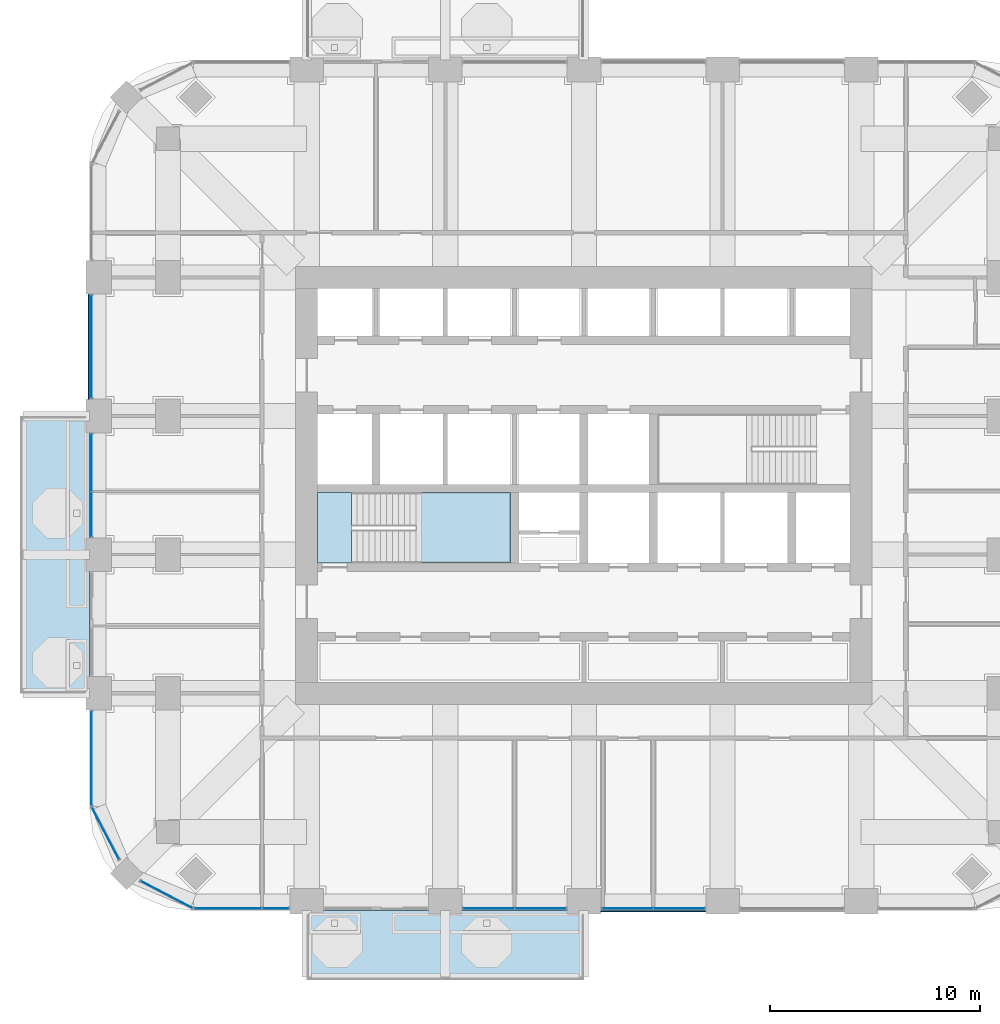
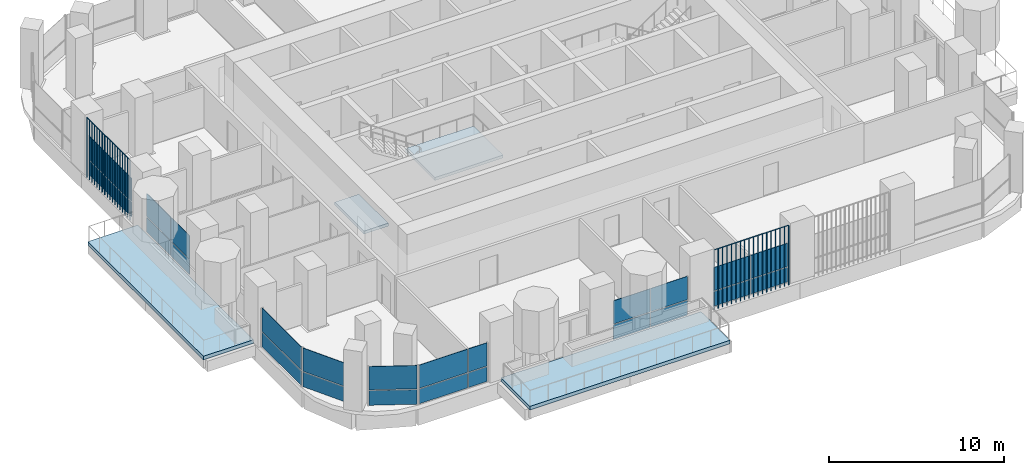
# One storey, part 8 of 20: 26 plates, 4 slabs, 9 elements without a shape of their own.
"""IFC4 building model written with IfcOpenShell, lengths in metres."""

from ifc_helpers import new_model, si_unit, direction, frame, origin, origin_2d, place, context, subcontext, project, spatial, polyline, rectangle, outline, extrude, material, layer, layer_set, type_object, element, aggregate, save


model = new_model("IFC4")

# Units and contexts
model_context = context("Model", 3, precision=1e-05, world=origin(), true_north=direction((0.0, 1.0)))
body_context = subcontext(model_context, "Body", "Model", "MODEL_VIEW")
ifc_project = project(units=[si_unit("LENGTHUNIT", "METRE"), si_unit("AREAUNIT", "SQUARE_METRE"), si_unit("VOLUMEUNIT", "CUBIC_METRE"), si_unit("PLANEANGLEUNIT", "RADIAN"), si_unit("MASSUNIT", "GRAM", prefix="KILO")], contexts=[model_context])

# Site, building, storey
site_placement = place(None, origin())
site = spatial("IfcSite", under=ifc_project, at=site_placement, CompositionType="ELEMENT")
building_placement = place(site_placement, origin())
building = spatial("IfcBuilding", under=site, at=building_placement, Name="Cobogo Forest Laboratory Tower", CompositionType="ELEMENT")
storey_placement = place(building_placement, frame((0.0, 0.0, 193.5)))
storey = spatial("IfcBuildingStorey", under=building, at=storey_placement, Name="L44", CompositionType="ELEMENT", Elevation=193.5)

# Slabs
ifc_material_1 = material(Name="Concrete HA-40 (C40/50)", Category="concrete")
ifc_layer_1 = layer(ifc_material_1, 0.25)
ifc_layer_set_1 = layer_set([ifc_layer_1], Name="Balcony slab 250")
slab_type_1 = type_object("IfcSlabType", Name="Balcony slab 250", PredefinedType="FLOOR", material=ifc_layer_set_1)
slab_1_placement = place(storey_placement, frame((0.0, 0.0, -0.25)))
element("IfcSlab", 1, at=slab_1_placement, inside=storey, type_object=slab_type_1, Name="Balcony BAL-S1 L44", PredefinedType="FLOOR", context=body_context, shape_type="SweptSolid", body=[
    extrude(outline(polyline([(13.199951171875, -0.449951171875), (26.39990234375, -0.449951171875), (26.39990234375, 2.85009765625), (13.199951171875, 2.85009765625), (13.199951171875, -0.449951171875)])), origin(), (0.0, 0.0, 1.0), 0.25),
])
slab_2_placement = place(storey_placement, frame((0.0, 0.0, -0.25)))
element("IfcSlab", 2, at=slab_2_placement, inside=storey, type_object=slab_type_1, Name="Balcony BAL-W1 L44", PredefinedType="FLOOR", context=body_context, shape_type="SweptSolid", body=[
    extrude(outline(polyline([(-0.449951171875, 13.199951171875), (2.85009765625, 13.199951171875), (2.85009765625, 26.39990234375), (-0.449951171875, 26.39990234375), (-0.449951171875, 13.199951171875)])), origin(), (0.0, 0.0, 1.0), 0.25),
])

# Curtain wall, plates
ifc_material_2 = material(Name="Aluminium curtain wall", Category="aluminium")
curtain_wall_type = type_object("IfcCurtainWallType", Name="CW-2 unitised curtain wall, solar control glazing, laboratory floors zones C and D", PredefinedType="USERDEFINED", material=ifc_material_2)
curtain_wall_1_placement = place(storey_placement, origin())
curtain_wall_1 = element("IfcCurtainWall", 3, at=curtain_wall_1_placement, inside=storey, type_object=curtain_wall_type, Name="Curtain wall 01 L44", ObjectType="UNITISED CURTAIN WALL", PredefinedType="USERDEFINED")
ifc_material_3 = material(Name="Solar control insulated glass", Category="glass")
ifc_layer_2 = layer(ifc_material_3, 0.031982421875)
ifc_layer_set_2 = layer_set([ifc_layer_2], Name="GP-2 solar control glass unit 32")
plate_type_1 = type_object("IfcPlateType", Name="GP-2 solar control glass unit 32", PredefinedType="CURTAIN_PANEL", material=ifc_layer_set_2)
plate_1_placement = place(storey_placement, frame((9.452392578125, 2.949951171875, 0.0), z_axis=(0.0, 0.0, 1.0), x_axis=(1.0, 0.0, 0.0)))
plate_1 = element("IfcPlate", 4, at=plate_1_placement, type_object=plate_type_1, Name="CW-2 panel 1.1", PredefinedType="CURTAIN_PANEL", context=body_context, shape_type="SweptSolid", body=[
    extrude(rectangle(XDim=3.18505859375, YDim=0.031982421875, at=origin_2d()), origin(), (0.0, 0.0, 1.0), 1.02001953125),
])
plate_2_placement = place(storey_placement, frame((9.452392578125, 2.949951171875, 1.079833984375), z_axis=(0.0, 0.0, 1.0), x_axis=(1.0, 0.0, 0.0)))
plate_2 = element("IfcPlate", 5, at=plate_2_placement, type_object=plate_type_1, Name="CW-2 panel 1.2", PredefinedType="CURTAIN_PANEL", context=body_context, shape_type="SweptSolid", body=[
    extrude(rectangle(XDim=3.18505859375, YDim=0.031982421875, at=origin_2d()), origin(), (0.0, 0.0, 1.0), 1.6201171875),
])
plate_3_placement = place(storey_placement, frame((11.722412109375, 2.949951171875, 0.0), z_axis=(0.0, 0.0, 1.0), x_axis=(1.0, 0.0, 0.0)))
plate_3 = element("IfcPlate", 6, at=plate_3_placement, type_object=plate_type_1, Name="CW-2 panel 2.1", PredefinedType="CURTAIN_PANEL", context=body_context, shape_type="SweptSolid", body=[
    extrude(rectangle(XDim=1.235107421875, YDim=0.031982421875, at=origin_2d()), origin(), (0.0, 0.0, 1.0), 1.02001953125),
])
plate_4_placement = place(storey_placement, frame((11.722412109375, 2.949951171875, 1.079833984375), z_axis=(0.0, 0.0, 1.0), x_axis=(1.0, 0.0, 0.0)))
plate_4 = element("IfcPlate", 7, at=plate_4_placement, type_object=plate_type_1, Name="CW-2 panel 2.2", PredefinedType="CURTAIN_PANEL", context=body_context, shape_type="SweptSolid", body=[
    extrude(rectangle(XDim=1.235107421875, YDim=0.031982421875, at=origin_2d()), origin(), (0.0, 0.0, 1.0), 1.6201171875),
])
aggregate(curtain_wall_1, [plate_1, plate_2, plate_3, plate_4])

curtain_wall_2_placement = place(storey_placement, origin())
curtain_wall_2 = element("IfcCurtainWall", 8, at=curtain_wall_2_placement, inside=storey, type_object=curtain_wall_type, Name="Curtain wall 03 L44", ObjectType="UNITISED CURTAIN WALL", PredefinedType="USERDEFINED")
plate_5_placement = place(storey_placement, frame((21.864990234375, 2.949951171875, 0.0), z_axis=(0.0, 0.0, 1.0), x_axis=(1.0, 0.0, 0.0)))
plate_5 = element("IfcPlate", 9, at=plate_5_placement, type_object=plate_type_1, Name="CW-2 panel 1.1", PredefinedType="CURTAIN_PANEL", context=body_context, shape_type="SweptSolid", body=[
    extrude(rectangle(XDim=2.409912109375, YDim=0.031982421875, at=origin_2d()), origin(), (0.0, 0.0, 1.0), 1.02001953125),
])
plate_6_placement = place(storey_placement, frame((21.864990234375, 2.949951171875, 1.079833984375), z_axis=(0.0, 0.0, 1.0), x_axis=(1.0, 0.0, 0.0)))
plate_6 = element("IfcPlate", 10, at=plate_6_placement, type_object=plate_type_1, Name="CW-2 panel 1.2", PredefinedType="CURTAIN_PANEL", context=body_context, shape_type="SweptSolid", body=[
    extrude(rectangle(XDim=2.409912109375, YDim=0.031982421875, at=origin_2d()), origin(), (0.0, 0.0, 1.0), 1.6201171875),
])
plate_7_placement = place(storey_placement, frame((24.3349609375, 2.949951171875, 0.0), z_axis=(0.0, 0.0, 1.0), x_axis=(1.0, 0.0, 0.0)))
plate_7 = element("IfcPlate", 11, at=plate_7_placement, type_object=plate_type_1, Name="CW-2 panel 2.1", PredefinedType="CURTAIN_PANEL", context=body_context, shape_type="SweptSolid", body=[
    extrude(rectangle(XDim=2.409912109375, YDim=0.031982421875, at=origin_2d()), origin(), (0.0, 0.0, 1.0), 1.02001953125),
])
plate_8_placement = place(storey_placement, frame((24.3349609375, 2.949951171875, 1.079833984375), z_axis=(0.0, 0.0, 1.0), x_axis=(1.0, 0.0, 0.0)))
plate_8 = element("IfcPlate", 12, at=plate_8_placement, type_object=plate_type_1, Name="CW-2 panel 2.2", PredefinedType="CURTAIN_PANEL", context=body_context, shape_type="SweptSolid", body=[
    extrude(rectangle(XDim=2.409912109375, YDim=0.031982421875, at=origin_2d()), origin(), (0.0, 0.0, 1.0), 1.6201171875),
])
aggregate(curtain_wall_2, [plate_5, plate_6, plate_7, plate_8])

curtain_wall_3_placement = place(storey_placement, origin())
curtain_wall_3 = element("IfcCurtainWall", 13, at=curtain_wall_3_placement, inside=storey, type_object=curtain_wall_type, Name="Curtain wall 04 L44", ObjectType="UNITISED CURTAIN WALL", PredefinedType="USERDEFINED")
plate_9_placement = place(storey_placement, frame((28.465087890625, 2.949951171875, 0.0), z_axis=(0.0, 0.0, 1.0), x_axis=(1.0, 0.0, 0.0)))
plate_9 = element("IfcPlate", 14, at=plate_9_placement, type_object=plate_type_1, Name="CW-2 panel 1.1", PredefinedType="CURTAIN_PANEL", context=body_context, shape_type="SweptSolid", body=[
    extrude(rectangle(XDim=2.409912109375, YDim=0.031982421875, at=origin_2d()), origin(), (0.0, 0.0, 1.0), 1.02001953125),
])
plate_10_placement = place(storey_placement, frame((28.465087890625, 2.949951171875, 1.079833984375), z_axis=(0.0, 0.0, 1.0), x_axis=(1.0, 0.0, 0.0)))
plate_10 = element("IfcPlate", 15, at=plate_10_placement, type_object=plate_type_1, Name="CW-2 panel 1.2", PredefinedType="CURTAIN_PANEL", context=body_context, shape_type="SweptSolid", body=[
    extrude(rectangle(XDim=2.409912109375, YDim=0.031982421875, at=origin_2d()), origin(), (0.0, 0.0, 1.0), 1.6201171875),
])
plate_11_placement = place(storey_placement, frame((30.93505859375, 2.949951171875, 0.0), z_axis=(0.0, 0.0, 1.0), x_axis=(1.0, 0.0, 0.0)))
plate_11 = element("IfcPlate", 16, at=plate_11_placement, type_object=plate_type_1, Name="CW-2 panel 2.1", PredefinedType="CURTAIN_PANEL", context=body_context, shape_type="SweptSolid", body=[
    extrude(rectangle(XDim=2.409912109375, YDim=0.031982421875, at=origin_2d()), origin(), (0.0, 0.0, 1.0), 1.02001953125),
])
plate_12_placement = place(storey_placement, frame((30.93505859375, 2.949951171875, 1.079833984375), z_axis=(0.0, 0.0, 1.0), x_axis=(1.0, 0.0, 0.0)))
plate_12 = element("IfcPlate", 17, at=plate_12_placement, type_object=plate_type_1, Name="CW-2 panel 2.2", PredefinedType="CURTAIN_PANEL", context=body_context, shape_type="SweptSolid", body=[
    extrude(rectangle(XDim=2.409912109375, YDim=0.031982421875, at=origin_2d()), origin(), (0.0, 0.0, 1.0), 1.6201171875),
])
aggregate(curtain_wall_3, [plate_9, plate_10, plate_11, plate_12])

curtain_wall_4_placement = place(storey_placement, origin())
curtain_wall_4 = element("IfcCurtainWall", 18, at=curtain_wall_4_placement, inside=storey, type_object=curtain_wall_type, Name="Curtain wall 25 L44", ObjectType="UNITISED CURTAIN WALL", PredefinedType="USERDEFINED")
plate_13_placement = place(storey_placement, frame((2.949951171875, 29.699951171875, 0.0), z_axis=(0.0, 0.0, 1.0), x_axis=(0.0, -1.0, 0.0)))
plate_13 = element("IfcPlate", 19, at=plate_13_placement, type_object=plate_type_1, Name="CW-2 panel 1.1", PredefinedType="CURTAIN_PANEL", context=body_context, shape_type="SweptSolid", body=[
    extrude(rectangle(XDim=4.8798828125, YDim=0.031982421875, at=origin_2d()), origin(), (0.0, 0.0, 1.0), 1.02001953125),
])
plate_14_placement = place(storey_placement, frame((2.949951171875, 29.699951171875, 1.079833984375), z_axis=(0.0, 0.0, 1.0), x_axis=(0.0, -1.0, 0.0)))
plate_14 = element("IfcPlate", 20, at=plate_14_placement, type_object=plate_type_1, Name="CW-2 panel 1.2", PredefinedType="CURTAIN_PANEL", context=body_context, shape_type="SweptSolid", body=[
    extrude(rectangle(XDim=4.8798828125, YDim=0.031982421875, at=origin_2d()), origin(), (0.0, 0.0, 1.0), 1.6201171875),
])
aggregate(curtain_wall_4, [plate_13, plate_14])

curtain_wall_5_placement = place(storey_placement, origin())
curtain_wall_5 = element("IfcCurtainWall", 21, at=curtain_wall_5_placement, inside=storey, type_object=curtain_wall_type, Name="Curtain wall 26 L44", ObjectType="UNITISED CURTAIN WALL", PredefinedType="USERDEFINED")
plate_15_placement = place(storey_placement, frame((2.949951171875, 24.18505859375, 0.0), z_axis=(0.0, 0.0, 1.0), x_axis=(0.0, -1.0, 0.0)))
plate_15 = element("IfcPlate", 22, at=plate_15_placement, type_object=plate_type_1, Name="CW-2 panel 1.1", PredefinedType="CURTAIN_PANEL", context=body_context, shape_type="SweptSolid", body=[
    extrude(rectangle(XDim=2.7099609375, YDim=0.031982421875, at=origin_2d()), origin(), (0.0, 0.0, 1.0), 1.02001953125),
])
plate_16_placement = place(storey_placement, frame((2.949951171875, 24.18505859375, 1.079833984375), z_axis=(0.0, 0.0, 1.0), x_axis=(0.0, -1.0, 0.0)))
plate_16 = element("IfcPlate", 23, at=plate_16_placement, type_object=plate_type_1, Name="CW-2 panel 1.2", PredefinedType="CURTAIN_PANEL", context=body_context, shape_type="SweptSolid", body=[
    extrude(rectangle(XDim=2.7099609375, YDim=0.031982421875, at=origin_2d()), origin(), (0.0, 0.0, 1.0), 1.6201171875),
])
plate_17_placement = place(storey_placement, frame((2.949951171875, 21.715087890625, 0.0), z_axis=(0.0, 0.0, 1.0), x_axis=(0.0, -1.0, 0.0)))
plate_17 = element("IfcPlate", 24, at=plate_17_placement, type_object=plate_type_1, Name="CW-2 panel 2.1", PredefinedType="CURTAIN_PANEL", context=body_context, shape_type="SweptSolid", body=[
    extrude(rectangle(XDim=2.110107421875, YDim=0.031982421875, at=origin_2d()), origin(), (0.0, 0.0, 1.0), 1.02001953125),
])
plate_18_placement = place(storey_placement, frame((2.949951171875, 21.715087890625, 1.079833984375), z_axis=(0.0, 0.0, 1.0), x_axis=(0.0, -1.0, 0.0)))
plate_18 = element("IfcPlate", 25, at=plate_18_placement, type_object=plate_type_1, Name="CW-2 panel 2.2", PredefinedType="CURTAIN_PANEL", context=body_context, shape_type="SweptSolid", body=[
    extrude(rectangle(XDim=2.110107421875, YDim=0.031982421875, at=origin_2d()), origin(), (0.0, 0.0, 1.0), 1.6201171875),
])
aggregate(curtain_wall_5, [plate_15, plate_16, plate_17, plate_18])

curtain_wall_6_placement = place(storey_placement, origin())
curtain_wall_6 = element("IfcCurtainWall", 26, at=curtain_wall_6_placement, inside=storey, type_object=curtain_wall_type, Name="Curtain wall 28 L44", ObjectType="UNITISED CURTAIN WALL", PredefinedType="USERDEFINED")
plate_19_placement = place(storey_placement, frame((2.949951171875, 10.10009765625, 0.0), z_axis=(0.0, 0.0, 1.0), x_axis=(0.0, -1.0, 0.0)))
plate_19 = element("IfcPlate", 27, at=plate_19_placement, type_object=plate_type_1, Name="CW-2 panel 1.1", PredefinedType="CURTAIN_PANEL", context=body_context, shape_type="SweptSolid", body=[
    extrude(rectangle(XDim=4.47998046875, YDim=0.031982421875, at=origin_2d()), origin(), (0.0, 0.0, 1.0), 1.02001953125),
])
plate_20_placement = place(storey_placement, frame((2.949951171875, 10.10009765625, 1.079833984375), z_axis=(0.0, 0.0, 1.0), x_axis=(0.0, -1.0, 0.0)))
plate_20 = element("IfcPlate", 28, at=plate_20_placement, type_object=plate_type_1, Name="CW-2 panel 1.2", PredefinedType="CURTAIN_PANEL", context=body_context, shape_type="SweptSolid", body=[
    extrude(rectangle(XDim=4.47998046875, YDim=0.031982421875, at=origin_2d()), origin(), (0.0, 0.0, 1.0), 1.6201171875),
])
aggregate(curtain_wall_6, [plate_19, plate_20])

curtain_wall_7_placement = place(storey_placement, origin())
curtain_wall_7 = element("IfcCurtainWall", 29, at=curtain_wall_7_placement, inside=storey, type_object=curtain_wall_type, Name="Curtain wall 29 L44", ObjectType="UNITISED CURTAIN WALL", PredefinedType="USERDEFINED")
plate_21_placement = place(storey_placement, frame((3.61865234375, 6.5244140625, 0.0), z_axis=(0.0, 0.0, 1.0), x_axis=(0.464283804832, -0.885686484356, 0.0)))
plate_21 = element("IfcPlate", 30, at=plate_21_placement, type_object=plate_type_1, Name="CW-2 panel 1.1", PredefinedType="CURTAIN_PANEL", context=body_context, shape_type="SweptSolid", body=[
    extrude(rectangle(XDim=2.76025390625, YDim=0.031982421875, at=origin_2d()), origin(), (0.0, 0.0, 1.0), 1.02001953125),
])
plate_22_placement = place(storey_placement, frame((3.61865234375, 6.5244140625, 1.079833984375), z_axis=(0.0, 0.0, 1.0), x_axis=(0.464283804832, -0.885686484356, 0.0)))
plate_22 = element("IfcPlate", 31, at=plate_22_placement, type_object=plate_type_1, Name="CW-2 panel 1.2", PredefinedType="CURTAIN_PANEL", context=body_context, shape_type="SweptSolid", body=[
    extrude(rectangle(XDim=2.76025390625, YDim=0.031982421875, at=origin_2d()), origin(), (0.0, 0.0, 1.0), 1.6201171875),
])
aggregate(curtain_wall_7, [plate_21, plate_22])

curtain_wall_8_placement = place(storey_placement, origin())
curtain_wall_8 = element("IfcCurtainWall", 32, at=curtain_wall_8_placement, inside=storey, type_object=curtain_wall_type, Name="Curtain wall 30 L44", ObjectType="UNITISED CURTAIN WALL", PredefinedType="USERDEFINED")
plate_23_placement = place(storey_placement, frame((6.5244140625, 3.61865234375, 0.0), z_axis=(0.0, 0.0, 1.0), x_axis=(0.885686484356, -0.464283804832, 0.0)))
plate_23 = element("IfcPlate", 33, at=plate_23_placement, type_object=plate_type_1, Name="CW-2 panel 1.1", PredefinedType="CURTAIN_PANEL", context=body_context, shape_type="SweptSolid", body=[
    extrude(rectangle(XDim=2.76025390625, YDim=0.031982421875, at=origin_2d()), origin(), (0.0, 0.0, 1.0), 1.02001953125),
])
plate_24_placement = place(storey_placement, frame((6.5244140625, 3.61865234375, 1.079833984375), z_axis=(0.0, 0.0, 1.0), x_axis=(0.885686484356, -0.464283804832, 0.0)))
plate_24 = element("IfcPlate", 34, at=plate_24_placement, type_object=plate_type_1, Name="CW-2 panel 1.2", PredefinedType="CURTAIN_PANEL", context=body_context, shape_type="SweptSolid", body=[
    extrude(rectangle(XDim=2.76025390625, YDim=0.031982421875, at=origin_2d()), origin(), (0.0, 0.0, 1.0), 1.6201171875),
])
aggregate(curtain_wall_8, [plate_23, plate_24])

# Stair, slabs
ifc_material_4 = material(Name="Precast concrete HA-40 (C40/50)", Category="concrete")
stair_type = type_object("IfcStairType", Name="ST24 exit stair 24 risers", PredefinedType="HALF_TURN_STAIR", material=ifc_material_4)
stair_placement = place(storey_placement, origin())
stair = element("IfcStair", 35, at=stair_placement, inside=storey, type_object=stair_type, Name="Stair 1 L44 to L45", PredefinedType="HALF_TURN_STAIR")
ifc_layer_3 = layer(ifc_material_1, 0.199951171875)
ifc_layer_set_3 = layer_set([ifc_layer_3], Name="SL stair landing 200")
slab_type_2 = type_object("IfcSlabType", Name="SL stair landing 200", PredefinedType="LANDING", material=ifc_layer_set_3)
slab_3_placement = place(storey_placement, frame((0.0, 0.0, -0.199951171875)))
slab_3 = element("IfcSlab", 36, at=slab_3_placement, type_object=slab_type_2, Name="ST1 landing 1", PredefinedType="LANDING", context=body_context, shape_type="SweptSolid", body=[
    extrude(outline(polyline([(13.72509765625, 19.39990234375), (15.326904296875, 19.39990234375), (15.326904296875, 22.75), (13.72509765625, 22.75), (13.72509765625, 19.39990234375)])), origin(), (0.0, 0.0, 1.0), 0.199951171875),
])
slab_4_placement = place(storey_placement, frame((0.0, 0.0, 1.89990234375)))
slab_4 = element("IfcSlab", 37, at=slab_4_placement, type_object=slab_type_2, Name="ST1 landing 2", PredefinedType="LANDING", context=body_context, shape_type="SweptSolid", body=[
    extrude(outline(polyline([(18.403076171875, 19.39990234375), (22.89990234375, 19.39990234375), (22.89990234375, 22.75), (18.403076171875, 22.75), (18.403076171875, 19.39990234375)])), origin(), (0.0, 0.0, 1.0), 0.2001953125),
])
aggregate(stair, [slab_3, slab_4])

# Plates
ifc_material_5 = material(Name="Terracotta", Category="masonry")
plate_type_2 = type_object("IfcPlateType", Name="TB1 terracotta baguette screen", PredefinedType="USERDEFINED", material=ifc_material_5)
plate_25_placement = place(storey_placement, frame((27.231201171875, 2.822021484375, -0.14990234375)))
element("IfcPlate", 38, at=plate_25_placement, inside=storey, type_object=plate_type_2, Name="Baguette screen S3 L44", ObjectType="BAGUETTE SCREEN", PredefinedType="USERDEFINED", context=body_context, shape_type="SweptSolid", body=[
    extrude(outline(polyline([(0.02880859375, 0.011962890625), (0.011962890625, 0.02880859375), (-0.011962890625, 0.02880859375), (-0.02880859375, 0.011962890625), (-0.02880859375, -0.011962890625), (-0.011962890625, -0.02880859375), (0.011962890625, -0.02880859375), (0.02880859375, -0.011962890625), (0.02880859375, 0.011962890625)])), frame((0.0, 0.0, 4.168701171875), z_axis=(1.0, 0.0, 0.0), x_axis=(0.0, 1.0, 0.0)), (0.0, 0.0, 1.0), 4.9375),
    extrude(outline(polyline([(0.02880859375, 0.011962890625), (0.011962890625, 0.02880859375), (-0.011962890625, 0.02880859375), (-0.02880859375, 0.011962890625), (-0.02880859375, -0.011962890625), (-0.011962890625, -0.02880859375), (0.011962890625, -0.02880859375), (0.02880859375, -0.011962890625), (0.02880859375, 0.011962890625)])), origin(), (0.0, 0.0, 1.0), 4.137451171875),
    extrude(outline(polyline([(0.02880859375, 0.011962890625), (0.011962890625, 0.02880859375), (-0.011962890625, 0.02880859375), (-0.02880859375, 0.011962890625), (-0.02880859375, -0.011962890625), (-0.011962890625, -0.02880859375), (0.011962890625, -0.02880859375), (0.02880859375, -0.011962890625), (0.02880859375, 0.011962890625)])), frame((0.29052734375, 0.0, 0.0)), (0.0, 0.0, 1.0), 4.137451171875),
    extrude(outline(polyline([(0.02880859375, 0.011962890625), (0.011962890625, 0.02880859375), (-0.011962890625, 0.02880859375), (-0.02880859375, 0.011962890625), (-0.02880859375, -0.011962890625), (-0.011962890625, -0.02880859375), (0.011962890625, -0.02880859375), (0.02880859375, -0.011962890625), (0.02880859375, 0.011962890625)])), frame((0.580810546875, 0.0, 0.0)), (0.0, 0.0, 1.0), 4.137451171875),
    extrude(outline(polyline([(0.02880859375, 0.011962890625), (0.011962890625, 0.02880859375), (-0.011962890625, 0.02880859375), (-0.02880859375, 0.011962890625), (-0.02880859375, -0.011962890625), (-0.011962890625, -0.02880859375), (0.011962890625, -0.02880859375), (0.02880859375, -0.011962890625), (0.02880859375, 0.011962890625)])), frame((0.871337890625, 0.0, 0.0)), (0.0, 0.0, 1.0), 4.137451171875),
    extrude(outline(polyline([(0.02880859375, 0.011962890625), (0.011962890625, 0.02880859375), (-0.011962890625, 0.02880859375), (-0.02880859375, 0.011962890625), (-0.02880859375, -0.011962890625), (-0.011962890625, -0.02880859375), (0.011962890625, -0.02880859375), (0.02880859375, -0.011962890625), (0.02880859375, 0.011962890625)])), frame((1.161865234375, 0.0, 0.0)), (0.0, 0.0, 1.0), 4.137451171875),
    extrude(outline(polyline([(0.02880859375, 0.011962890625), (0.011962890625, 0.02880859375), (-0.011962890625, 0.02880859375), (-0.02880859375, 0.011962890625), (-0.02880859375, -0.011962890625), (-0.011962890625, -0.02880859375), (0.011962890625, -0.02880859375), (0.02880859375, -0.011962890625), (0.02880859375, 0.011962890625)])), frame((1.4521484375, 0.0, 0.0)), (0.0, 0.0, 1.0), 4.137451171875),
    extrude(outline(polyline([(0.02880859375, 0.011962890625), (0.011962890625, 0.02880859375), (-0.011962890625, 0.02880859375), (-0.02880859375, 0.011962890625), (-0.02880859375, -0.011962890625), (-0.011962890625, -0.02880859375), (0.011962890625, -0.02880859375), (0.02880859375, -0.011962890625), (0.02880859375, 0.011962890625)])), frame((1.74267578125, 0.0, 0.0)), (0.0, 0.0, 1.0), 4.137451171875),
    extrude(outline(polyline([(0.02880859375, 0.011962890625), (0.011962890625, 0.02880859375), (-0.011962890625, 0.02880859375), (-0.02880859375, 0.011962890625), (-0.02880859375, -0.011962890625), (-0.011962890625, -0.02880859375), (0.011962890625, -0.02880859375), (0.02880859375, -0.011962890625), (0.02880859375, 0.011962890625)])), frame((2.033203125, 0.0, 0.0)), (0.0, 0.0, 1.0), 4.137451171875),
    extrude(outline(polyline([(0.02880859375, 0.011962890625), (0.011962890625, 0.02880859375), (-0.011962890625, 0.02880859375), (-0.02880859375, 0.011962890625), (-0.02880859375, -0.011962890625), (-0.011962890625, -0.02880859375), (0.011962890625, -0.02880859375), (0.02880859375, -0.011962890625), (0.02880859375, 0.011962890625)])), frame((2.323486328125, 0.0, 0.0)), (0.0, 0.0, 1.0), 4.137451171875),
    extrude(outline(polyline([(0.02880859375, 0.011962890625), (0.011962890625, 0.02880859375), (-0.011962890625, 0.02880859375), (-0.02880859375, 0.011962890625), (-0.02880859375, -0.011962890625), (-0.011962890625, -0.02880859375), (0.011962890625, -0.02880859375), (0.02880859375, -0.011962890625), (0.02880859375, 0.011962890625)])), frame((2.614013671875, 0.0, 0.0)), (0.0, 0.0, 1.0), 4.137451171875),
    extrude(outline(polyline([(0.02880859375, 0.011962890625), (0.011962890625, 0.02880859375), (-0.011962890625, 0.02880859375), (-0.02880859375, 0.011962890625), (-0.02880859375, -0.011962890625), (-0.011962890625, -0.02880859375), (0.011962890625, -0.02880859375), (0.02880859375, -0.011962890625), (0.02880859375, 0.011962890625)])), frame((2.904296875, 0.0, 0.0)), (0.0, 0.0, 1.0), 4.137451171875),
    extrude(outline(polyline([(0.02880859375, 0.011962890625), (0.011962890625, 0.02880859375), (-0.011962890625, 0.02880859375), (-0.02880859375, 0.011962890625), (-0.02880859375, -0.011962890625), (-0.011962890625, -0.02880859375), (0.011962890625, -0.02880859375), (0.02880859375, -0.011962890625), (0.02880859375, 0.011962890625)])), frame((3.19482421875, 0.0, 0.0)), (0.0, 0.0, 1.0), 4.137451171875),
    extrude(outline(polyline([(0.02880859375, 0.011962890625), (0.011962890625, 0.02880859375), (-0.011962890625, 0.02880859375), (-0.02880859375, 0.011962890625), (-0.02880859375, -0.011962890625), (-0.011962890625, -0.02880859375), (0.011962890625, -0.02880859375), (0.02880859375, -0.011962890625), (0.02880859375, 0.011962890625)])), frame((3.4853515625, 0.0, 0.0)), (0.0, 0.0, 1.0), 4.137451171875),
    extrude(outline(polyline([(0.02880859375, 0.011962890625), (0.011962890625, 0.02880859375), (-0.011962890625, 0.02880859375), (-0.02880859375, 0.011962890625), (-0.02880859375, -0.011962890625), (-0.011962890625, -0.02880859375), (0.011962890625, -0.02880859375), (0.02880859375, -0.011962890625), (0.02880859375, 0.011962890625)])), frame((3.775634765625, 0.0, 0.0)), (0.0, 0.0, 1.0), 4.137451171875),
    extrude(outline(polyline([(0.02880859375, 0.011962890625), (0.011962890625, 0.02880859375), (-0.011962890625, 0.02880859375), (-0.02880859375, 0.011962890625), (-0.02880859375, -0.011962890625), (-0.011962890625, -0.02880859375), (0.011962890625, -0.02880859375), (0.02880859375, -0.011962890625), (0.02880859375, 0.011962890625)])), frame((4.066162109375, 0.0, 0.0)), (0.0, 0.0, 1.0), 4.137451171875),
    extrude(outline(polyline([(0.02880859375, 0.011962890625), (0.011962890625, 0.02880859375), (-0.011962890625, 0.02880859375), (-0.02880859375, 0.011962890625), (-0.02880859375, -0.011962890625), (-0.011962890625, -0.02880859375), (0.011962890625, -0.02880859375), (0.02880859375, -0.011962890625), (0.02880859375, 0.011962890625)])), frame((4.356689453125, 0.0, 0.0)), (0.0, 0.0, 1.0), 4.137451171875),
    extrude(outline(polyline([(0.02880859375, 0.011962890625), (0.011962890625, 0.02880859375), (-0.011962890625, 0.02880859375), (-0.02880859375, 0.011962890625), (-0.02880859375, -0.011962890625), (-0.011962890625, -0.02880859375), (0.011962890625, -0.02880859375), (0.02880859375, -0.011962890625), (0.02880859375, 0.011962890625)])), frame((4.64697265625, 0.0, 0.0)), (0.0, 0.0, 1.0), 4.137451171875),
    extrude(outline(polyline([(0.02880859375, 0.011962890625), (0.011962890625, 0.02880859375), (-0.011962890625, 0.02880859375), (-0.02880859375, 0.011962890625), (-0.02880859375, -0.011962890625), (-0.011962890625, -0.02880859375), (0.011962890625, -0.02880859375), (0.02880859375, -0.011962890625), (0.02880859375, 0.011962890625)])), frame((4.9375, 0.0, 0.0)), (0.0, 0.0, 1.0), 4.137451171875),
])
plate_26_placement = place(storey_placement, frame((2.822021484375, 27.231201171875, -0.14990234375)))
element("IfcPlate", 39, at=plate_26_placement, inside=storey, type_object=plate_type_2, Name="Baguette screen W3 L44", ObjectType="BAGUETTE SCREEN", PredefinedType="USERDEFINED", context=body_context, shape_type="SweptSolid", body=[
    extrude(outline(polyline([(0.02880859375, 0.011962890625), (0.011962890625, 0.02880859375), (-0.011962890625, 0.02880859375), (-0.02880859375, 0.011962890625), (-0.02880859375, -0.011962890625), (-0.011962890625, -0.02880859375), (0.011962890625, -0.02880859375), (0.02880859375, -0.011962890625), (0.02880859375, 0.011962890625)])), frame((0.0, 0.0, 4.168701171875), z_axis=(0.0, 1.0, 0.0), x_axis=(-1.0, 0.0, 0.0)), (0.0, 0.0, 1.0), 4.9375),
    extrude(outline(polyline([(0.02880859375, 0.011962890625), (0.011962890625, 0.02880859375), (-0.011962890625, 0.02880859375), (-0.02880859375, 0.011962890625), (-0.02880859375, -0.011962890625), (-0.011962890625, -0.02880859375), (0.011962890625, -0.02880859375), (0.02880859375, -0.011962890625), (0.02880859375, 0.011962890625)])), origin(), (0.0, 0.0, 1.0), 4.137451171875),
    extrude(outline(polyline([(0.02880859375, 0.011962890625), (0.011962890625, 0.02880859375), (-0.011962890625, 0.02880859375), (-0.02880859375, 0.011962890625), (-0.02880859375, -0.011962890625), (-0.011962890625, -0.02880859375), (0.011962890625, -0.02880859375), (0.02880859375, -0.011962890625), (0.02880859375, 0.011962890625)])), frame((0.0, 0.29052734375, 0.0)), (0.0, 0.0, 1.0), 4.137451171875),
    extrude(outline(polyline([(0.02880859375, 0.011962890625), (0.011962890625, 0.02880859375), (-0.011962890625, 0.02880859375), (-0.02880859375, 0.011962890625), (-0.02880859375, -0.011962890625), (-0.011962890625, -0.02880859375), (0.011962890625, -0.02880859375), (0.02880859375, -0.011962890625), (0.02880859375, 0.011962890625)])), frame((0.0, 0.580810546875, 0.0)), (0.0, 0.0, 1.0), 4.137451171875),
    extrude(outline(polyline([(0.02880859375, 0.011962890625), (0.011962890625, 0.02880859375), (-0.011962890625, 0.02880859375), (-0.02880859375, 0.011962890625), (-0.02880859375, -0.011962890625), (-0.011962890625, -0.02880859375), (0.011962890625, -0.02880859375), (0.02880859375, -0.011962890625), (0.02880859375, 0.011962890625)])), frame((0.0, 0.871337890625, 0.0)), (0.0, 0.0, 1.0), 4.137451171875),
    extrude(outline(polyline([(0.02880859375, 0.011962890625), (0.011962890625, 0.02880859375), (-0.011962890625, 0.02880859375), (-0.02880859375, 0.011962890625), (-0.02880859375, -0.011962890625), (-0.011962890625, -0.02880859375), (0.011962890625, -0.02880859375), (0.02880859375, -0.011962890625), (0.02880859375, 0.011962890625)])), frame((0.0, 1.161865234375, 0.0)), (0.0, 0.0, 1.0), 4.137451171875),
    extrude(outline(polyline([(0.02880859375, 0.011962890625), (0.011962890625, 0.02880859375), (-0.011962890625, 0.02880859375), (-0.02880859375, 0.011962890625), (-0.02880859375, -0.011962890625), (-0.011962890625, -0.02880859375), (0.011962890625, -0.02880859375), (0.02880859375, -0.011962890625), (0.02880859375, 0.011962890625)])), frame((0.0, 1.4521484375, 0.0)), (0.0, 0.0, 1.0), 4.137451171875),
    extrude(outline(polyline([(0.02880859375, 0.011962890625), (0.011962890625, 0.02880859375), (-0.011962890625, 0.02880859375), (-0.02880859375, 0.011962890625), (-0.02880859375, -0.011962890625), (-0.011962890625, -0.02880859375), (0.011962890625, -0.02880859375), (0.02880859375, -0.011962890625), (0.02880859375, 0.011962890625)])), frame((0.0, 1.74267578125, 0.0)), (0.0, 0.0, 1.0), 4.137451171875),
    extrude(outline(polyline([(0.02880859375, 0.011962890625), (0.011962890625, 0.02880859375), (-0.011962890625, 0.02880859375), (-0.02880859375, 0.011962890625), (-0.02880859375, -0.011962890625), (-0.011962890625, -0.02880859375), (0.011962890625, -0.02880859375), (0.02880859375, -0.011962890625), (0.02880859375, 0.011962890625)])), frame((0.0, 2.033203125, 0.0)), (0.0, 0.0, 1.0), 4.137451171875),
    extrude(outline(polyline([(0.02880859375, 0.011962890625), (0.011962890625, 0.02880859375), (-0.011962890625, 0.02880859375), (-0.02880859375, 0.011962890625), (-0.02880859375, -0.011962890625), (-0.011962890625, -0.02880859375), (0.011962890625, -0.02880859375), (0.02880859375, -0.011962890625), (0.02880859375, 0.011962890625)])), frame((0.0, 2.323486328125, 0.0)), (0.0, 0.0, 1.0), 4.137451171875),
    extrude(outline(polyline([(0.02880859375, 0.011962890625), (0.011962890625, 0.02880859375), (-0.011962890625, 0.02880859375), (-0.02880859375, 0.011962890625), (-0.02880859375, -0.011962890625), (-0.011962890625, -0.02880859375), (0.011962890625, -0.02880859375), (0.02880859375, -0.011962890625), (0.02880859375, 0.011962890625)])), frame((0.0, 2.614013671875, 0.0)), (0.0, 0.0, 1.0), 4.137451171875),
    extrude(outline(polyline([(0.02880859375, 0.011962890625), (0.011962890625, 0.02880859375), (-0.011962890625, 0.02880859375), (-0.02880859375, 0.011962890625), (-0.02880859375, -0.011962890625), (-0.011962890625, -0.02880859375), (0.011962890625, -0.02880859375), (0.02880859375, -0.011962890625), (0.02880859375, 0.011962890625)])), frame((0.0, 2.904296875, 0.0)), (0.0, 0.0, 1.0), 4.137451171875),
    extrude(outline(polyline([(0.02880859375, 0.011962890625), (0.011962890625, 0.02880859375), (-0.011962890625, 0.02880859375), (-0.02880859375, 0.011962890625), (-0.02880859375, -0.011962890625), (-0.011962890625, -0.02880859375), (0.011962890625, -0.02880859375), (0.02880859375, -0.011962890625), (0.02880859375, 0.011962890625)])), frame((0.0, 3.19482421875, 0.0)), (0.0, 0.0, 1.0), 4.137451171875),
    extrude(outline(polyline([(0.02880859375, 0.011962890625), (0.011962890625, 0.02880859375), (-0.011962890625, 0.02880859375), (-0.02880859375, 0.011962890625), (-0.02880859375, -0.011962890625), (-0.011962890625, -0.02880859375), (0.011962890625, -0.02880859375), (0.02880859375, -0.011962890625), (0.02880859375, 0.011962890625)])), frame((0.0, 3.4853515625, 0.0)), (0.0, 0.0, 1.0), 4.137451171875),
    extrude(outline(polyline([(0.02880859375, 0.011962890625), (0.011962890625, 0.02880859375), (-0.011962890625, 0.02880859375), (-0.02880859375, 0.011962890625), (-0.02880859375, -0.011962890625), (-0.011962890625, -0.02880859375), (0.011962890625, -0.02880859375), (0.02880859375, -0.011962890625), (0.02880859375, 0.011962890625)])), frame((0.0, 3.775634765625, 0.0)), (0.0, 0.0, 1.0), 4.137451171875),
    extrude(outline(polyline([(0.02880859375, 0.011962890625), (0.011962890625, 0.02880859375), (-0.011962890625, 0.02880859375), (-0.02880859375, 0.011962890625), (-0.02880859375, -0.011962890625), (-0.011962890625, -0.02880859375), (0.011962890625, -0.02880859375), (0.02880859375, -0.011962890625), (0.02880859375, 0.011962890625)])), frame((0.0, 4.066162109375, 0.0)), (0.0, 0.0, 1.0), 4.137451171875),
    extrude(outline(polyline([(0.02880859375, 0.011962890625), (0.011962890625, 0.02880859375), (-0.011962890625, 0.02880859375), (-0.02880859375, 0.011962890625), (-0.02880859375, -0.011962890625), (-0.011962890625, -0.02880859375), (0.011962890625, -0.02880859375), (0.02880859375, -0.011962890625), (0.02880859375, 0.011962890625)])), frame((0.0, 4.356689453125, 0.0)), (0.0, 0.0, 1.0), 4.137451171875),
    extrude(outline(polyline([(0.02880859375, 0.011962890625), (0.011962890625, 0.02880859375), (-0.011962890625, 0.02880859375), (-0.02880859375, 0.011962890625), (-0.02880859375, -0.011962890625), (-0.011962890625, -0.02880859375), (0.011962890625, -0.02880859375), (0.02880859375, -0.011962890625), (0.02880859375, 0.011962890625)])), frame((0.0, 4.64697265625, 0.0)), (0.0, 0.0, 1.0), 4.137451171875),
    extrude(outline(polyline([(0.02880859375, 0.011962890625), (0.011962890625, 0.02880859375), (-0.011962890625, 0.02880859375), (-0.02880859375, 0.011962890625), (-0.02880859375, -0.011962890625), (-0.011962890625, -0.02880859375), (0.011962890625, -0.02880859375), (0.02880859375, -0.011962890625), (0.02880859375, 0.011962890625)])), frame((0.0, 4.9375, 0.0)), (0.0, 0.0, 1.0), 4.137451171875),
])

save(model, "model.ifc")
